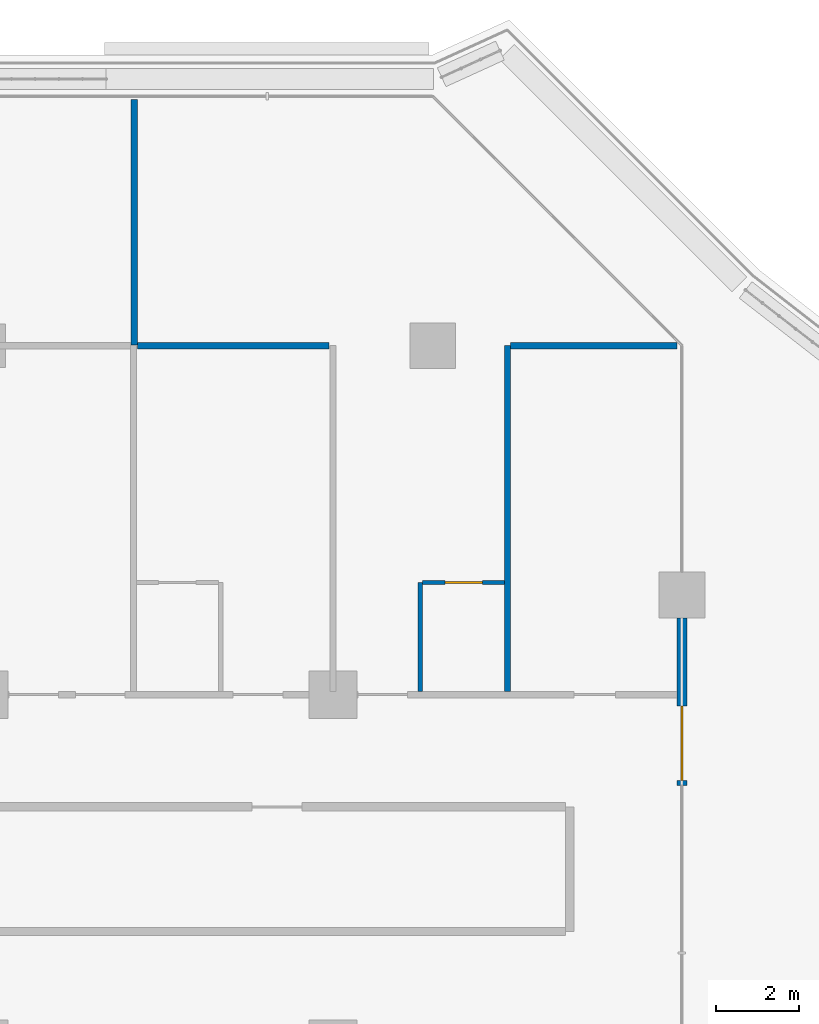
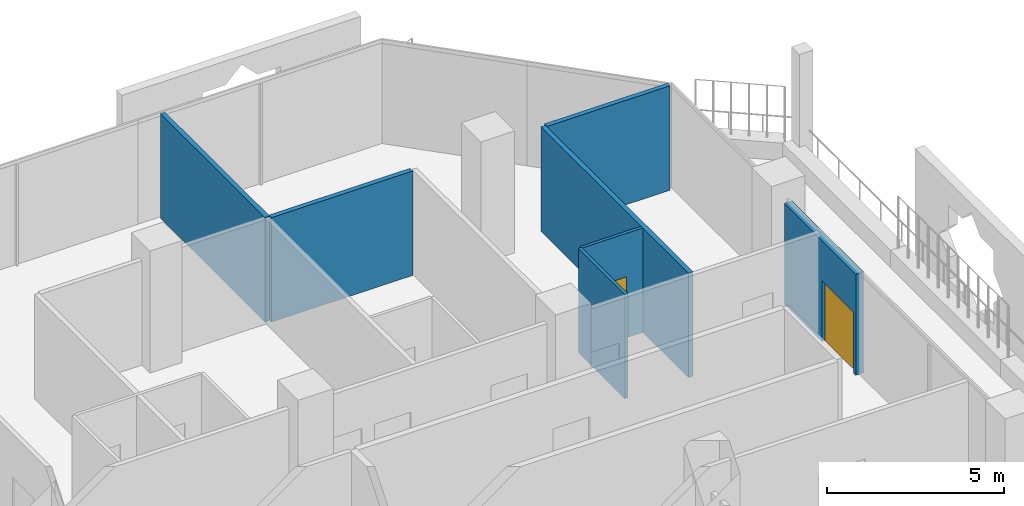
# One storey, part 17 of 25: 7 walls, 2 doors, 2 openings.
"""IFC4 building model written with IfcOpenShell, lengths in metres."""

import ifcopenshell
import ifcopenshell.guid

model = None  # the IFC model being written
_history = None  # IfcOwnerHistory: only IFC2X3 demands one
_inside = {}  # id of a spatial element -> (the spatial element, [elements in it])
_under = {}  # id of a project, library or spatial element -> (it, [spatial elements below it])
_declared = {}  # id of a project -> (the project, [libraries it declares])
_typed = {}  # id of a type object -> (the type object, [elements of that type])
_made_of = {}  # id of a material, layer set ... -> (it, [elements and type objects made of it])


def new_model(schema):
    """Start an empty IFC model of exactly this schema.

    Asked for "IFC4X3", IfcOpenShell would pick the latest addendum, in which some entities
    have other attributes; the version numbers below select the first issue.
    IFC2X3 requires an IfcOwnerHistory on every rooted entity: one is made here for all.
    """
    global model, _history
    if schema == "IFC4X3":
        model = ifcopenshell.file(schema_version=(4, 3, 0, 0))
    else:
        model = ifcopenshell.file(schema=schema)
    _inside.clear()
    _under.clear()
    _declared.clear()
    _typed.clear()
    _made_of.clear()
    _history = None
    if model.schema == "IFC2X3":
        org = make("IfcOrganization", Name="unknown")
        user = make(
            "IfcPersonAndOrganization",
            ThePerson=make("IfcPerson", FamilyName="unknown"),
            TheOrganization=org,
        )
        app = make(
            "IfcApplication",
            ApplicationDeveloper=org,
            Version="unknown",
            ApplicationFullName="unknown",
            ApplicationIdentifier="unknown",
        )
        _history = make(
            "IfcOwnerHistory",
            OwningUser=user,
            OwningApplication=app,
            ChangeAction="ADDED",
            CreationDate=0,
        )
    return model


def make(cls, **values):
    """One entity of the class cls with the attributes given. An attribute that is None is left unset."""
    return model.create_entity(
        cls, **{name: value for name, value in values.items() if value is not None}
    )


def rooted(cls, **values):
    """An entity with a GlobalId (a new one), such as an element, a storey or a relation."""
    return make(cls, GlobalId=ifcopenshell.guid.new(), OwnerHistory=_history, **values)


def si_unit(unit_type, name, prefix=None):
    """IfcSIUnit, for example si_unit("LENGTHUNIT", "METRE", prefix="MILLI")."""
    return make("IfcSIUnit", UnitType=unit_type, Prefix=prefix, Name=name)


def assignment(units):
    """IfcUnitAssignment: the units of a project."""
    return None if units is None else make("IfcUnitAssignment", Units=units)


def point(xyz):
    """IfcCartesianPoint."""
    return None if xyz is None else make("IfcCartesianPoint", Coordinates=xyz)


def direction(xyz):
    """IfcDirection."""
    return None if xyz is None else make("IfcDirection", DirectionRatios=xyz)


def frame(location, z_axis=None, x_axis=None):
    """IfcAxis2Placement3D, a coordinate frame: its origin and axes. An axis left out is left unset."""
    return make(
        "IfcAxis2Placement3D",
        Location=point(location),
        Axis=direction(z_axis),
        RefDirection=direction(x_axis),
    )


def frame_2d(location, x_axis=None):
    """IfcAxis2Placement2D, a coordinate frame in the plane: its origin and x axis."""
    return make(
        "IfcAxis2Placement2D", Location=point(location), RefDirection=direction(x_axis)
    )


def origin():
    """The frame at (0, 0, 0) with its axes left unset."""
    return frame((0.0, 0.0, 0.0))


def place(relative_to, where):
    """IfcLocalPlacement: puts the frame where relative to a parent placement (None: the world)."""
    return make(
        "IfcLocalPlacement", PlacementRelTo=relative_to, RelativePlacement=where
    )


def context(
    kind, dimensions, precision=None, world=None, true_north=None, identifier=None
):
    """IfcGeometricRepresentationContext, for example the 3D "Model" context."""
    return make(
        "IfcGeometricRepresentationContext",
        ContextIdentifier=identifier,
        ContextType=kind,
        CoordinateSpaceDimension=dimensions,
        Precision=precision,
        WorldCoordinateSystem=world,
        TrueNorth=true_north,
    )


def subcontext(parent, identifier, kind, view, scale=None):
    """IfcGeometricRepresentationSubContext, for example "Body" below "Model"."""
    return make(
        "IfcGeometricRepresentationSubContext",
        ContextIdentifier=identifier,
        ContextType=kind,
        ParentContext=parent,
        TargetScale=scale,
        TargetView=view,
    )


def project(units=None, contexts=None):
    """IfcProject with its units and contexts."""
    return rooted(
        "IfcProject",
        Name="project",
        RepresentationContexts=contexts,
        UnitsInContext=assignment(units),
    )


def spatial(cls, under=None, at=None, **own):
    """A site, building, storey or space (cls), placed at a placement, below another one or the project."""
    s = rooted(cls, ObjectPlacement=at, **own)
    if under is not None:
        _under.setdefault(under.id(), (under, []))[1].append(s)
    return s


def profile(cls, at=None, kind="AREA", **sizes):
    """A parametric profile (cls). Its sizes go by their IFC names, for example OverallWidth=200.0."""
    return make(cls, ProfileType=kind, Position=at, **sizes)


def rectangle(**sizes):
    """IfcRectangleProfileDef."""
    return profile("IfcRectangleProfileDef", **sizes)


def extrude(swept, where, along, depth):
    """IfcExtrudedAreaSolid: the profile swept, set in the frame where, extruded along a direction by depth."""
    return make(
        "IfcExtrudedAreaSolid",
        SweptArea=swept,
        Position=where,
        ExtrudedDirection=direction(along),
        Depth=depth,
    )


def shape(context_of_items, identifier, shape_type, items):
    """IfcShapeRepresentation: the items that make up one representation, for example the "Body"."""
    return make(
        "IfcShapeRepresentation",
        ContextOfItems=context_of_items,
        RepresentationIdentifier=identifier,
        RepresentationType=shape_type,
        Items=items,
    )


def material(Name=None, Category=None):
    """IfcMaterial."""
    return make("IfcMaterial", Name=Name, Category=Category)


def layer(
    of_material, thickness, ventilated=None, Name=None, Category=None, Priority=None
):
    """IfcMaterialLayer: one layer of a wall or slab, of a material (None: an air gap)."""
    return make(
        "IfcMaterialLayer",
        Material=of_material,
        LayerThickness=thickness,
        IsVentilated=ventilated,
        Name=Name,
        Category=Category,
        Priority=Priority,
    )


def layer_set(layers, Name=None):
    """IfcMaterialLayerSet."""
    return make("IfcMaterialLayerSet", MaterialLayers=layers, LayerSetName=Name)


def made_of(thing, what):
    """Note that an element or type object is made of a material, layer set ...; save() writes the relation."""
    if what is not None:
        _made_of.setdefault(what.id(), (what, []))[1].append(thing)
    return thing


def type_object(cls, material=None, **own):
    """A type object (cls), such as IfcWallType, which elements share."""
    return made_of(rooted(cls, **own), material)


def element(
    cls,
    number,
    at=None,
    inside=None,
    cuts=None,
    type_object=None,
    material=None,
    context=None,
    identifier="Body",
    shape_type=None,
    held_by="IfcProductDefinitionShape",
    body=None,
    shapes=None,
    **own,
):
    """One element of the class cls, such as IfcWall. Its Tag is "e" and its number.

    at: its placement. inside: the storey or other place that contains it. cuts: it is an
    opening in that element (IfcRelVoidsElement). A single representation is given by context,
    identifier, shape_type and body (its items); several are given by shapes. held_by: the class
    of the entity that holds the representations. save() writes the other relations.
    """
    e = rooted(cls, Tag="e%d" % number, ObjectPlacement=at, **own)
    if body is not None:
        shapes = [shape(context, identifier, shape_type, body)]
    if shapes is not None:
        e.Representation = make(held_by, Representations=shapes)
    if inside is not None:
        _inside.setdefault(inside.id(), (inside, []))[1].append(e)
    if cuts is not None:
        rooted(
            "IfcRelVoidsElement", RelatingBuildingElement=cuts, RelatedOpeningElement=e
        )
    if type_object is not None:
        _typed.setdefault(type_object.id(), (type_object, []))[1].append(e)
    return made_of(e, material)


def fill(opening, filler):
    """IfcRelFillsElement: the door or window that sits in an opening."""
    return rooted(
        "IfcRelFillsElement",
        RelatingOpeningElement=opening,
        RelatedBuildingElement=filler,
    )


def aggregate(whole, parts):
    """IfcRelAggregates: a whole, such as a stair, and the parts it consists of."""
    return rooted("IfcRelAggregates", RelatingObject=whole, RelatedObjects=parts)


def save(model, path):
    """Write the relations noted so far, then the file.

    IfcRelAggregates (storeys below a building ...), IfcRelContainedInSpatialStructure (elements
    in a storey), IfcRelDefinesByType, IfcRelAssociatesMaterial and IfcRelDeclares: one each for
    every whole, place, type object, material and project.
    """
    for whole, parts in _under.values():
        aggregate(whole, parts)
    for where, things in _inside.values():
        rooted(
            "IfcRelContainedInSpatialStructure",
            RelatedElements=things,
            RelatingStructure=where,
        )
    for kind, things in _typed.values():
        rooted("IfcRelDefinesByType", RelatedObjects=things, RelatingType=kind)
    for what, things in _made_of.values():
        rooted("IfcRelAssociatesMaterial", RelatedObjects=things, RelatingMaterial=what)
    for by, libraries in _declared.values():
        rooted("IfcRelDeclares", RelatingContext=by, RelatedDefinitions=libraries)
    model.write(path)


model = new_model("IFC4")

# Units and contexts
model_context = context("Model", 3, precision=1e-05, world=origin(), true_north=direction((0.0, 1.0)))
body_context = subcontext(model_context, "Body", "Model", "MODEL_VIEW")
ifc_project = project(units=[si_unit("LENGTHUNIT", "METRE"), si_unit("AREAUNIT", "SQUARE_METRE"), si_unit("VOLUMEUNIT", "CUBIC_METRE"), si_unit("PLANEANGLEUNIT", "RADIAN"), si_unit("MASSUNIT", "GRAM", prefix="KILO")], contexts=[model_context])

# Site, building, storey
site_placement = place(None, origin())
site = spatial("IfcSite", under=ifc_project, at=site_placement, CompositionType="ELEMENT")
building_placement = place(site_placement, origin())
building = spatial("IfcBuilding", under=site, at=building_placement, Name="Kawkab Arch Medical Tower", CompositionType="ELEMENT")
storey_placement = place(building_placement, frame((0.0, 0.0, 128.199951171875)))
storey = spatial("IfcBuildingStorey", under=building, at=storey_placement, Name="L29", CompositionType="ELEMENT", Elevation=128.199951171875)

# Wall, opening, door
ifc_material_1 = material(Name="Bronze clad insulated wall panel")
ifc_layer_1 = layer(ifc_material_1, 0.25)
ifc_layer_set_1 = layer_set([ifc_layer_1], Name="Bronze clad insulated wall panel")
wall_type_1 = type_object("IfcWallType", Name="External wall bay 250", PredefinedType="SOLIDWALL", material=ifc_layer_set_1)
wall_1_placement = place(storey_placement, frame((75.60009765625, -10.583251953125, 0.0), z_axis=(0.0, 0.0, 1.0), x_axis=(0.0, 1.0, 0.0)))
wall_1 = element("IfcWall", 1, at=wall_1_placement, inside=storey, type_object=wall_type_1, Name="External wall bay L29.R09.1.3", PredefinedType="SOLIDWALL", context=body_context, shape_type="SweptSolid", body=[
    extrude(rectangle(XDim=4.033203125, YDim=0.25, at=frame_2d((2.0166015625, 0.0))), origin(), (0.0, 0.0, 1.0), 3.47998046875),
])
opening_1_placement = place(wall_1_placement, frame((0.11669921875, 0.0, 0.0)))
opening_1 = element("IfcOpeningElement", 2, at=opening_1_placement, cuts=wall_1, Name="Opening W29-701", PredefinedType="OPENING", context=body_context, shape_type="SweptSolid", body=[
    extrude(rectangle(XDim=1.800048828125, YDim=2.10009765625, at=frame_2d((0.89990234375, 1.050048828125))), frame((0.0, 0.135009765625, 0.0), z_axis=(0.0, -1.0, 0.0), x_axis=(1.0, 0.0, 0.0)), (0.0, 0.0, 1.0), 0.27001953125),
])
ifc_material_2 = material(Name="Bronze anodised aluminium door with tinted glass", Category="aluminium")
door_type_1 = type_object("IfcDoorType", Name="Double external door 1800 x 2100", OperationType="DOUBLE_DOOR_SINGLE_SWING", PredefinedType="DOOR", material=ifc_material_2)
door_1_placement = place(opening_1_placement, origin())
door_1 = element("IfcDoor", 3, at=door_1_placement, inside=storey, type_object=door_type_1, Name="External door L29.R09.1.3", OperationType="DOUBLE_DOOR_SINGLE_SWING", OverallHeight=2.10009765625, OverallWidth=1.800048828125, PredefinedType="DOOR", context=body_context, shape_type="SweptSolid", body=[
    extrude(rectangle(XDim=1.800048828125, YDim=2.10009765625, at=frame_2d((0.89990234375, 1.050048828125))), frame((0.0, 0.02490234375, 0.0), z_axis=(0.0, -1.0, 0.0), x_axis=(1.0, 0.0, 0.0)), (0.0, 0.0, 1.0), 0.050048828125),
])
fill(opening_1, door_1)

ifc_material_3 = material(Name="Gypsum board partition on steel studs", Category="steel")
ifc_layer_2 = layer(ifc_material_3, 0.10009765625)
ifc_layer_set_2 = layer_set([ifc_layer_2], Name="Gypsum board partition on steel studs")
wall_type_2 = type_object("IfcWallType", Name="Partition 100", PredefinedType="PARTITIONING", material=ifc_layer_set_2)
wall_2_placement = place(storey_placement, frame((69.35205078125, -5.699951171875, 0.0), z_axis=(0.0, 0.0, 1.0), x_axis=(1.0, 0.0, 0.0)))
wall_2 = element("IfcWall", 4, at=wall_2_placement, inside=storey, type_object=wall_type_2, Name="Partition 100 w010", PredefinedType="PARTITIONING", context=body_context, shape_type="SweptSolid", body=[
    extrude(rectangle(XDim=1.972900390625, YDim=0.10009765625, at=frame_2d((0.986328125, 0.0))), origin(), (0.0, 0.0, 1.0), 3.60009765625),
])
opening_2_placement = place(wall_2_placement, frame((0.549072265625, 0.0, 0.0)))
opening_2 = element("IfcOpeningElement", 5, at=opening_2_placement, cuts=wall_2, Name="Opening W29-013", PredefinedType="OPENING", context=body_context, shape_type="SweptSolid", body=[
    extrude(rectangle(XDim=0.89990234375, YDim=2.10009765625, at=frame_2d((0.449951171875, 1.050048828125))), frame((0.0, 0.06005859375, 0.0), z_axis=(0.0, -1.0, 0.0), x_axis=(1.0, 0.0, 0.0)), (0.0, 0.0, 1.0), 0.1201171875),
])
ifc_material_4 = material(Name="Timber door leaf", Category="wood")
door_type_2 = type_object("IfcDoorType", Name="Single door 900x2100", OperationType="NOTDEFINED", PredefinedType="DOOR", material=ifc_material_4)
door_2_placement = place(opening_2_placement, origin())
door_2 = element("IfcDoor", 6, at=door_2_placement, inside=storey, type_object=door_type_2, Name="Door W29-013", OperationType="SINGLE_SWING_LEFT", OverallHeight=2.10009765625, OverallWidth=0.89990234375, PredefinedType="DOOR", context=body_context, shape_type="SweptSolid", body=[
    extrude(rectangle(XDim=0.89990234375, YDim=2.10009765625, at=frame_2d((0.449951171875, 1.050048828125))), frame((0.0, 0.02490234375, 0.0), z_axis=(0.0, -1.0, 0.0), x_axis=(1.0, 0.0, 0.0)), (0.0, 0.0, 1.0), 0.050048828125),
])
fill(opening_2, door_2)

# Walls
wall_3_placement = place(storey_placement, frame((69.300048828125, -8.324951171875, 0.0), z_axis=(0.0, 0.0, 1.0), x_axis=(0.0, 1.0, 0.0)))
element("IfcWall", 7, at=wall_3_placement, inside=storey, type_object=wall_type_2, Name="Partition 100 w021", PredefinedType="PARTITIONING", context=body_context, shape_type="SweptSolid", body=[
    extrude(rectangle(XDim=2.6240234375, YDim=0.10009765625, at=frame_2d((1.31201171875, 0.0))), origin(), (0.0, 0.0, 1.0), 3.60009765625),
])
ifc_material_5 = material(Name="Gypsum board partition on steel studs, mineral wool", Category="steel")
ifc_layer_3 = layer(ifc_material_5, 0.14990234375)
ifc_layer_set_3 = layer_set([ifc_layer_3], Name="Gypsum board partition on steel studs, mineral wool")
wall_type_3 = type_object("IfcWallType", Name="Partition 150", PredefinedType="PARTITIONING", material=ifc_layer_set_3)
wall_4_placement = place(storey_placement, frame((62.4951171875, 0.0, 0.0), z_axis=(0.0, 0.0, 1.0), x_axis=(1.0, 0.0, 0.0)))
element("IfcWall", 8, at=wall_4_placement, inside=storey, type_object=wall_type_3, Name="Partition 150 w049", PredefinedType="PARTITIONING", context=body_context, shape_type="SweptSolid", body=[
    extrude(rectangle(XDim=4.60986328125, YDim=0.14990234375, at=frame_2d((2.304931640625, 0.0))), origin(), (0.0, 0.0, 1.0), 3.60009765625),
])
wall_5_placement = place(storey_placement, frame((71.47900390625, 0.0, 0.0), z_axis=(0.0, 0.0, 1.0), x_axis=(1.0, 0.0, 0.0)))
element("IfcWall", 9, at=wall_5_placement, inside=storey, type_object=wall_type_3, Name="Partition 150 w050", PredefinedType="PARTITIONING", context=body_context, shape_type="SweptSolid", body=[
    extrude(rectangle(XDim=4.008056640625, YDim=0.14990234375, at=frame_2d((2.00390625, 0.0))), origin(), (0.0, 0.0, 1.0), 3.60009765625),
])
wall_6_placement = place(storey_placement, frame((62.419921875, 0.02001953125, 0.0), z_axis=(0.0, 0.0, 1.0), x_axis=(0.0, 1.0, 0.0)))
element("IfcWall", 10, at=wall_6_placement, inside=storey, type_object=wall_type_3, Name="Partition 150 w077", PredefinedType="PARTITIONING", context=body_context, shape_type="SweptSolid", body=[
    extrude(rectangle(XDim=5.89990234375, YDim=0.14990234375, at=frame_2d((2.949951171875, 0.0))), origin(), (0.0, 0.0, 1.0), 3.60009765625),
])
wall_7_placement = place(storey_placement, frame((71.39990234375, -8.324951171875, 0.0), z_axis=(0.0, 0.0, 1.0), x_axis=(0.0, 1.0, 0.0)))
element("IfcWall", 11, at=wall_7_placement, inside=storey, type_object=wall_type_3, Name="Partition 150 w081", PredefinedType="PARTITIONING", context=body_context, shape_type="SweptSolid", body=[
    extrude(rectangle(XDim=8.322998046875, YDim=0.14990234375, at=frame_2d((4.16162109375, 0.0))), origin(), (0.0, 0.0, 1.0), 3.60009765625),
])

save(model, "model.ifc")
